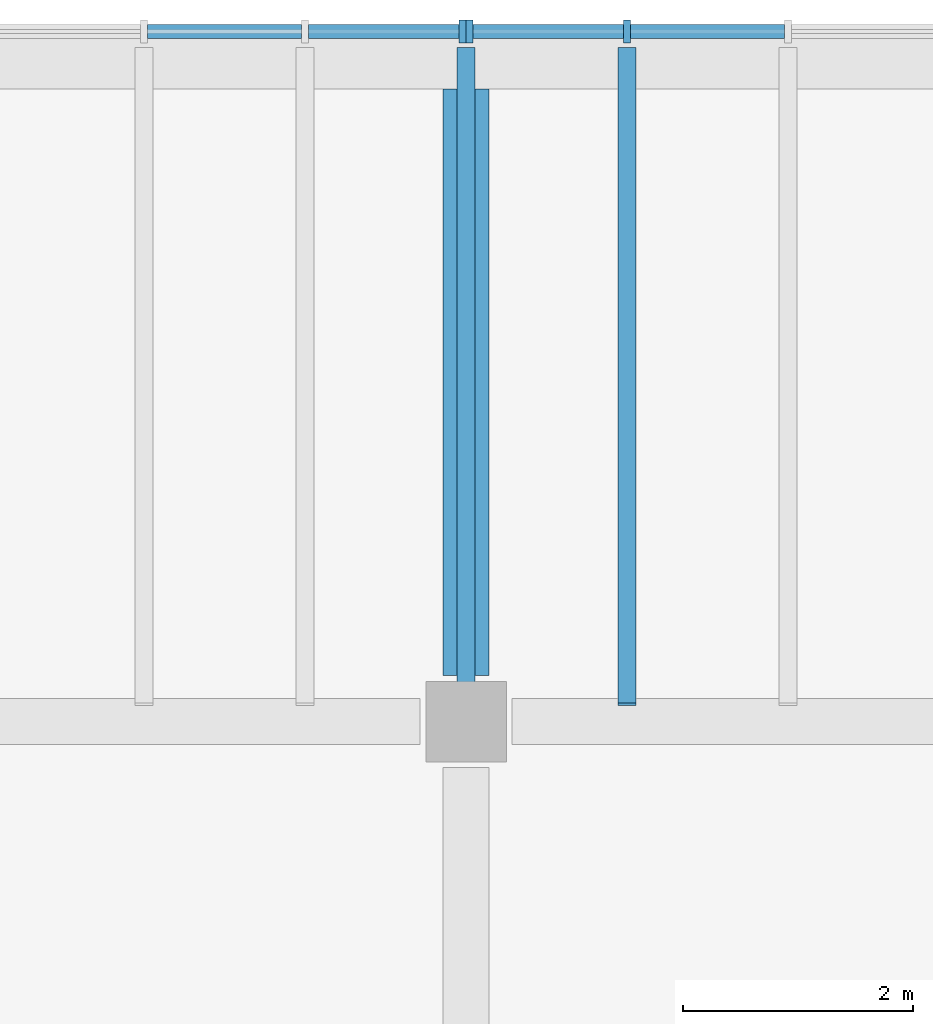
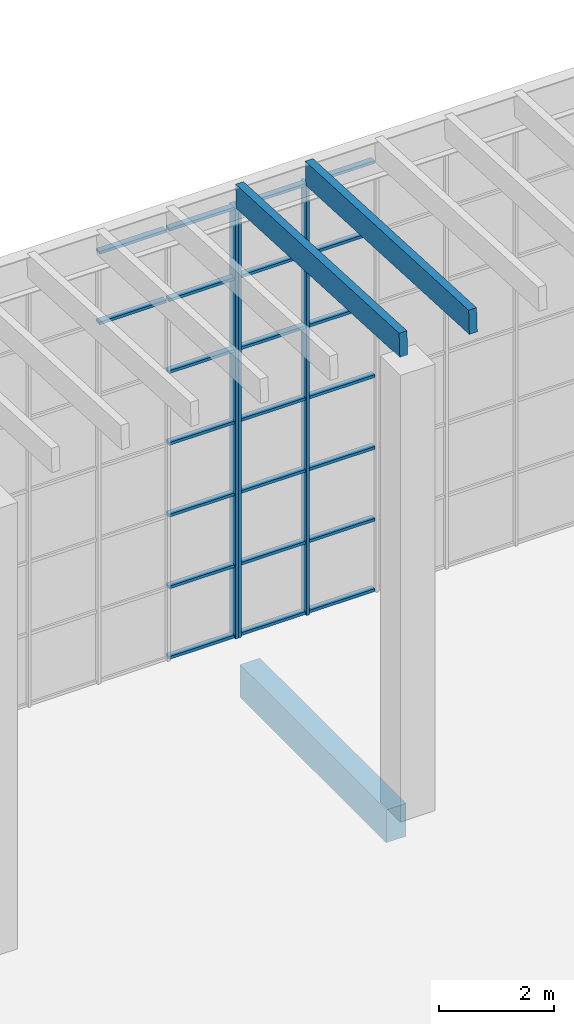
# One storey, part 18 of 114: 28 members, 1 beam, 2 elements without a shape of their own.
"""IFC4 building model written with IfcOpenShell, lengths in metres."""

import ifcopenshell
import ifcopenshell.guid

model = None  # the IFC model being written
_history = None  # IfcOwnerHistory: only IFC2X3 demands one
_inside = {}  # id of a spatial element -> (the spatial element, [elements in it])
_under = {}  # id of a project, library or spatial element -> (it, [spatial elements below it])
_declared = {}  # id of a project -> (the project, [libraries it declares])
_typed = {}  # id of a type object -> (the type object, [elements of that type])
_made_of = {}  # id of a material, layer set ... -> (it, [elements and type objects made of it])


def new_model(schema):
    """Start an empty IFC model of exactly this schema.

    Asked for "IFC4X3", IfcOpenShell would pick the latest addendum, in which some entities
    have other attributes; the version numbers below select the first issue.
    IFC2X3 requires an IfcOwnerHistory on every rooted entity: one is made here for all.
    """
    global model, _history
    if schema == "IFC4X3":
        model = ifcopenshell.file(schema_version=(4, 3, 0, 0))
    else:
        model = ifcopenshell.file(schema=schema)
    _inside.clear()
    _under.clear()
    _declared.clear()
    _typed.clear()
    _made_of.clear()
    _history = None
    if model.schema == "IFC2X3":
        org = make("IfcOrganization", Name="unknown")
        user = make(
            "IfcPersonAndOrganization",
            ThePerson=make("IfcPerson", FamilyName="unknown"),
            TheOrganization=org,
        )
        app = make(
            "IfcApplication",
            ApplicationDeveloper=org,
            Version="unknown",
            ApplicationFullName="unknown",
            ApplicationIdentifier="unknown",
        )
        _history = make(
            "IfcOwnerHistory",
            OwningUser=user,
            OwningApplication=app,
            ChangeAction="ADDED",
            CreationDate=0,
        )
    return model


def make(cls, **values):
    """One entity of the class cls with the attributes given. An attribute that is None is left unset."""
    return model.create_entity(
        cls, **{name: value for name, value in values.items() if value is not None}
    )


def rooted(cls, **values):
    """An entity with a GlobalId (a new one), such as an element, a storey or a relation."""
    return make(cls, GlobalId=ifcopenshell.guid.new(), OwnerHistory=_history, **values)


def si_unit(unit_type, name, prefix=None):
    """IfcSIUnit, for example si_unit("LENGTHUNIT", "METRE", prefix="MILLI")."""
    return make("IfcSIUnit", UnitType=unit_type, Prefix=prefix, Name=name)


def assignment(units):
    """IfcUnitAssignment: the units of a project."""
    return None if units is None else make("IfcUnitAssignment", Units=units)


def point(xyz):
    """IfcCartesianPoint."""
    return None if xyz is None else make("IfcCartesianPoint", Coordinates=xyz)


def direction(xyz):
    """IfcDirection."""
    return None if xyz is None else make("IfcDirection", DirectionRatios=xyz)


def frame(location, z_axis=None, x_axis=None):
    """IfcAxis2Placement3D, a coordinate frame: its origin and axes. An axis left out is left unset."""
    return make(
        "IfcAxis2Placement3D",
        Location=point(location),
        Axis=direction(z_axis),
        RefDirection=direction(x_axis),
    )


def frame_2d(location, x_axis=None):
    """IfcAxis2Placement2D, a coordinate frame in the plane: its origin and x axis."""
    return make(
        "IfcAxis2Placement2D", Location=point(location), RefDirection=direction(x_axis)
    )


def origin():
    """The frame at (0, 0, 0) with its axes left unset."""
    return frame((0.0, 0.0, 0.0))


def origin_2d():
    """The frame at (0, 0) in the plane with its x axis left unset."""
    return frame_2d((0.0, 0.0))


def place(relative_to, where):
    """IfcLocalPlacement: puts the frame where relative to a parent placement (None: the world)."""
    return make(
        "IfcLocalPlacement", PlacementRelTo=relative_to, RelativePlacement=where
    )


def context(
    kind, dimensions, precision=None, world=None, true_north=None, identifier=None
):
    """IfcGeometricRepresentationContext, for example the 3D "Model" context."""
    return make(
        "IfcGeometricRepresentationContext",
        ContextIdentifier=identifier,
        ContextType=kind,
        CoordinateSpaceDimension=dimensions,
        Precision=precision,
        WorldCoordinateSystem=world,
        TrueNorth=true_north,
    )


def subcontext(parent, identifier, kind, view, scale=None):
    """IfcGeometricRepresentationSubContext, for example "Body" below "Model"."""
    return make(
        "IfcGeometricRepresentationSubContext",
        ContextIdentifier=identifier,
        ContextType=kind,
        ParentContext=parent,
        TargetScale=scale,
        TargetView=view,
    )


def project(units=None, contexts=None):
    """IfcProject with its units and contexts."""
    return rooted(
        "IfcProject",
        Name="project",
        RepresentationContexts=contexts,
        UnitsInContext=assignment(units),
    )


def spatial(cls, under=None, at=None, **own):
    """A site, building, storey or space (cls), placed at a placement, below another one or the project."""
    s = rooted(cls, ObjectPlacement=at, **own)
    if under is not None:
        _under.setdefault(under.id(), (under, []))[1].append(s)
    return s


def profile(cls, at=None, kind="AREA", **sizes):
    """A parametric profile (cls). Its sizes go by their IFC names, for example OverallWidth=200.0."""
    return make(cls, ProfileType=kind, Position=at, **sizes)


def rectangle(**sizes):
    """IfcRectangleProfileDef."""
    return profile("IfcRectangleProfileDef", **sizes)


def extrude(swept, where, along, depth):
    """IfcExtrudedAreaSolid: the profile swept, set in the frame where, extruded along a direction by depth."""
    return make(
        "IfcExtrudedAreaSolid",
        SweptArea=swept,
        Position=where,
        ExtrudedDirection=direction(along),
        Depth=depth,
    )


def shape(context_of_items, identifier, shape_type, items):
    """IfcShapeRepresentation: the items that make up one representation, for example the "Body"."""
    return make(
        "IfcShapeRepresentation",
        ContextOfItems=context_of_items,
        RepresentationIdentifier=identifier,
        RepresentationType=shape_type,
        Items=items,
    )


def material(Name=None, Category=None):
    """IfcMaterial."""
    return make("IfcMaterial", Name=Name, Category=Category)


def material_profile(
    of_material, cross_section, Name=None, Category=None, Priority=None
):
    """IfcMaterialProfile: a cross section and its material."""
    return make(
        "IfcMaterialProfile",
        Name=Name,
        Material=of_material,
        Profile=cross_section,
        Priority=Priority,
        Category=Category,
    )


def profile_set(profiles, Name=None, composite=None):
    """IfcMaterialProfileSet."""
    return make(
        "IfcMaterialProfileSet",
        Name=Name,
        MaterialProfiles=profiles,
        CompositeProfile=composite,
    )


def made_of(thing, what):
    """Note that an element or type object is made of a material, layer set ...; save() writes the relation."""
    if what is not None:
        _made_of.setdefault(what.id(), (what, []))[1].append(thing)
    return thing


def type_object(cls, material=None, **own):
    """A type object (cls), such as IfcWallType, which elements share."""
    return made_of(rooted(cls, **own), material)


def element(
    cls,
    number,
    at=None,
    inside=None,
    cuts=None,
    type_object=None,
    material=None,
    context=None,
    identifier="Body",
    shape_type=None,
    held_by="IfcProductDefinitionShape",
    body=None,
    shapes=None,
    **own,
):
    """One element of the class cls, such as IfcWall. Its Tag is "e" and its number.

    at: its placement. inside: the storey or other place that contains it. cuts: it is an
    opening in that element (IfcRelVoidsElement). A single representation is given by context,
    identifier, shape_type and body (its items); several are given by shapes. held_by: the class
    of the entity that holds the representations. save() writes the other relations.
    """
    e = rooted(cls, Tag="e%d" % number, ObjectPlacement=at, **own)
    if body is not None:
        shapes = [shape(context, identifier, shape_type, body)]
    if shapes is not None:
        e.Representation = make(held_by, Representations=shapes)
    if inside is not None:
        _inside.setdefault(inside.id(), (inside, []))[1].append(e)
    if cuts is not None:
        rooted(
            "IfcRelVoidsElement", RelatingBuildingElement=cuts, RelatedOpeningElement=e
        )
    if type_object is not None:
        _typed.setdefault(type_object.id(), (type_object, []))[1].append(e)
    return made_of(e, material)


def aggregate(whole, parts):
    """IfcRelAggregates: a whole, such as a stair, and the parts it consists of."""
    return rooted("IfcRelAggregates", RelatingObject=whole, RelatedObjects=parts)


def save(model, path):
    """Write the relations noted so far, then the file.

    IfcRelAggregates (storeys below a building ...), IfcRelContainedInSpatialStructure (elements
    in a storey), IfcRelDefinesByType, IfcRelAssociatesMaterial and IfcRelDeclares: one each for
    every whole, place, type object, material and project.
    """
    for whole, parts in _under.values():
        aggregate(whole, parts)
    for where, things in _inside.values():
        rooted(
            "IfcRelContainedInSpatialStructure",
            RelatedElements=things,
            RelatingStructure=where,
        )
    for kind, things in _typed.values():
        rooted("IfcRelDefinesByType", RelatedObjects=things, RelatingType=kind)
    for what, things in _made_of.values():
        rooted("IfcRelAssociatesMaterial", RelatedObjects=things, RelatingMaterial=what)
    for by, libraries in _declared.values():
        rooted("IfcRelDeclares", RelatingContext=by, RelatedDefinitions=libraries)
    model.write(path)


model = new_model("IFC4")

# Units and contexts
model_context = context("Model", 3, precision=1e-05, world=origin(), true_north=direction((0.0, 1.0)))
body_context = subcontext(model_context, "Body", "Model", "MODEL_VIEW")
ifc_project = project(units=[si_unit("LENGTHUNIT", "METRE"), si_unit("AREAUNIT", "SQUARE_METRE"), si_unit("VOLUMEUNIT", "CUBIC_METRE"), si_unit("PLANEANGLEUNIT", "RADIAN"), si_unit("MASSUNIT", "GRAM", prefix="KILO")], contexts=[model_context])

# Site, building, storey
site_placement = place(None, origin())
site = spatial("IfcSite", under=ifc_project, at=site_placement, CompositionType="ELEMENT")
building_placement = place(site_placement, origin())
building = spatial("IfcBuilding", under=site, at=building_placement, Name="Almond Square Museum", CompositionType="ELEMENT")
storey_placement = place(building_placement, frame((0.0, 0.0, 10.5)))
storey = spatial("IfcBuildingStorey", under=building, at=storey_placement, Name="L02", CompositionType="ELEMENT", Elevation=10.5)

# Curtain wall, members
ifc_material_1 = material(Name="Aluminium and laminated glass", Category="aluminium")
curtain_wall_type = type_object("IfcCurtainWallType", Name="Unitised curtain wall 1500 module", PredefinedType="NOTDEFINED", material=ifc_material_1)
curtain_wall_1_placement = place(storey_placement, origin())
curtain_wall_1 = element("IfcCurtainWall", 1, at=curtain_wall_1_placement, inside=storey, type_object=curtain_wall_type, Name="Curtain wall CW-21", PredefinedType="NOTDEFINED")
ifc_material_2 = material(Name="Anodised aluminium", Category="aluminium")
ifc_material_profile_1 = material_profile(ifc_material_2, rectangle(XDim=0.199951171875, YDim=0.06005859375, at=origin_2d()))
ifc_profile_set_1 = profile_set([ifc_material_profile_1], Name="Anodised aluminium")
member_type_1 = type_object("IfcMemberType", Name="Aluminium mullion 60 x 200", PredefinedType="MULLION", material=ifc_profile_set_1)
member_1_placement = place(storey_placement, frame((64.830078125, 115.199951171875, 0.0), z_axis=(0.0, 0.0, 1.0), x_axis=(0.0, 1.0, 0.0)))
member_1 = element("IfcMember", 2, at=member_1_placement, type_object=member_type_1, Name="CW-21 mullion 1", PredefinedType="MULLION", context=body_context, shape_type="SweptSolid", body=[
    extrude(rectangle(XDim=0.199951171875, YDim=0.06005859375, at=origin_2d()), origin(), (0.0, 0.0, 1.0), 9.166259765625),
])
member_2_placement = place(storey_placement, frame((66.199951171875, 115.199951171875, 0.0), z_axis=(0.0, 0.0, 1.0), x_axis=(0.0, 1.0, 0.0)))
member_2 = element("IfcMember", 3, at=member_2_placement, type_object=member_type_1, Name="CW-21 mullion 2", PredefinedType="MULLION", context=body_context, shape_type="SweptSolid", body=[
    extrude(rectangle(XDim=0.199951171875, YDim=0.06005859375, at=origin_2d()), origin(), (0.0, 0.0, 1.0), 9.166259765625),
])

# Curtain wall, member
curtain_wall_2_placement = place(storey_placement, origin())
curtain_wall_2 = element("IfcCurtainWall", 4, at=curtain_wall_2_placement, inside=storey, type_object=curtain_wall_type, Name="Curtain wall CW-22", PredefinedType="NOTDEFINED")
member_3_placement = place(storey_placement, frame((64.77001953125, 115.199951171875, 0.0), z_axis=(0.0, 0.0, 1.0), x_axis=(0.0, 1.0, 0.0)))
member_3 = element("IfcMember", 5, at=member_3_placement, type_object=member_type_1, Name="CW-22 mullion 7", PredefinedType="MULLION", context=body_context, shape_type="SweptSolid", body=[
    extrude(rectangle(XDim=0.199951171875, YDim=0.06005859375, at=origin_2d()), origin(), (0.0, 0.0, 1.0), 9.166259765625),
])

# Member
ifc_material_3 = material(Name="Anodised aluminium", Category="aluminium")
ifc_material_profile_2 = material_profile(ifc_material_3, rectangle(XDim=0.1201171875, YDim=0.06005859375, at=origin_2d()))
ifc_profile_set_2 = profile_set([ifc_material_profile_2], Name="Anodised aluminium")
member_type_2 = type_object("IfcMemberType", Name="Aluminium transom 60 x 120", PredefinedType="USERDEFINED", material=ifc_profile_set_2)
member_4_placement = place(storey_placement, frame((64.860107421875, 115.199951171875, 0.030029296875), z_axis=(1.0, 0.0, 0.0), x_axis=(0.0, 1.0, 0.0)))
member_4 = element("IfcMember", 6, at=member_4_placement, type_object=member_type_2, Name="CW-21 transom 1.1", ObjectType="TRANSOM", PredefinedType="USERDEFINED", context=body_context, shape_type="SweptSolid", body=[
    extrude(rectangle(XDim=0.1201171875, YDim=0.06005859375, at=origin_2d()), origin(), (0.0, 0.0, 1.0), 1.309814453125),
])

member_5_placement = place(storey_placement, frame((64.860107421875, 115.199951171875, 1.527587890625), z_axis=(1.0, 0.0, 0.0), x_axis=(0.0, 1.0, 0.0)))
member_5 = element("IfcMember", 7, at=member_5_placement, type_object=member_type_2, Name="CW-21 transom 1.2", ObjectType="TRANSOM", PredefinedType="USERDEFINED", context=body_context, shape_type="SweptSolid", body=[
    extrude(rectangle(XDim=0.1201171875, YDim=0.06005859375, at=origin_2d()), origin(), (0.0, 0.0, 1.0), 1.309814453125),
])

member_6_placement = place(storey_placement, frame((64.860107421875, 115.199951171875, 3.055419921875), z_axis=(1.0, 0.0, 0.0), x_axis=(0.0, 1.0, 0.0)))
member_6 = element("IfcMember", 8, at=member_6_placement, type_object=member_type_2, Name="CW-21 transom 1.3", ObjectType="TRANSOM", PredefinedType="USERDEFINED", context=body_context, shape_type="SweptSolid", body=[
    extrude(rectangle(XDim=0.1201171875, YDim=0.06005859375, at=origin_2d()), origin(), (0.0, 0.0, 1.0), 1.309814453125),
])

member_7_placement = place(storey_placement, frame((64.860107421875, 115.199951171875, 4.5830078125), z_axis=(1.0, 0.0, 0.0), x_axis=(0.0, 1.0, 0.0)))
member_7 = element("IfcMember", 9, at=member_7_placement, type_object=member_type_2, Name="CW-21 transom 1.4", ObjectType="TRANSOM", PredefinedType="USERDEFINED", context=body_context, shape_type="SweptSolid", body=[
    extrude(rectangle(XDim=0.1201171875, YDim=0.06005859375, at=origin_2d()), origin(), (0.0, 0.0, 1.0), 1.309814453125),
])

member_8_placement = place(storey_placement, frame((64.860107421875, 115.199951171875, 6.11083984375), z_axis=(1.0, 0.0, 0.0), x_axis=(0.0, 1.0, 0.0)))
member_8 = element("IfcMember", 10, at=member_8_placement, type_object=member_type_2, Name="CW-21 transom 1.5", ObjectType="TRANSOM", PredefinedType="USERDEFINED", context=body_context, shape_type="SweptSolid", body=[
    extrude(rectangle(XDim=0.1201171875, YDim=0.06005859375, at=origin_2d()), origin(), (0.0, 0.0, 1.0), 1.309814453125),
])

member_9_placement = place(storey_placement, frame((64.860107421875, 115.199951171875, 7.638427734375), z_axis=(1.0, 0.0, 0.0), x_axis=(0.0, 1.0, 0.0)))
member_9 = element("IfcMember", 11, at=member_9_placement, type_object=member_type_2, Name="CW-21 transom 1.6", ObjectType="TRANSOM", PredefinedType="USERDEFINED", context=body_context, shape_type="SweptSolid", body=[
    extrude(rectangle(XDim=0.1201171875, YDim=0.06005859375, at=origin_2d()), origin(), (0.0, 0.0, 1.0), 1.309814453125),
])

member_10_placement = place(storey_placement, frame((64.860107421875, 115.199951171875, 9.13623046875), z_axis=(1.0, 0.0, 0.0), x_axis=(0.0, 1.0, 0.0)))
member_10 = element("IfcMember", 12, at=member_10_placement, type_object=member_type_2, Name="CW-21 transom 1.7", ObjectType="TRANSOM", PredefinedType="USERDEFINED", context=body_context, shape_type="SweptSolid", body=[
    extrude(rectangle(XDim=0.1201171875, YDim=0.06005859375, at=origin_2d()), origin(), (0.0, 0.0, 1.0), 1.309814453125),
])

member_11_placement = place(storey_placement, frame((66.22998046875, 115.199951171875, 0.030029296875), z_axis=(1.0, 0.0, 0.0), x_axis=(0.0, 1.0, 0.0)))
member_11 = element("IfcMember", 13, at=member_11_placement, type_object=member_type_2, Name="CW-21 transom 2.1", ObjectType="TRANSOM", PredefinedType="USERDEFINED", context=body_context, shape_type="SweptSolid", body=[
    extrude(rectangle(XDim=0.1201171875, YDim=0.06005859375, at=origin_2d()), origin(), (0.0, 0.0, 1.0), 1.340087890625),
])

member_12_placement = place(storey_placement, frame((66.22998046875, 115.199951171875, 1.527587890625), z_axis=(1.0, 0.0, 0.0), x_axis=(0.0, 1.0, 0.0)))
member_12 = element("IfcMember", 14, at=member_12_placement, type_object=member_type_2, Name="CW-21 transom 2.2", ObjectType="TRANSOM", PredefinedType="USERDEFINED", context=body_context, shape_type="SweptSolid", body=[
    extrude(rectangle(XDim=0.1201171875, YDim=0.06005859375, at=origin_2d()), origin(), (0.0, 0.0, 1.0), 1.340087890625),
])

member_13_placement = place(storey_placement, frame((66.22998046875, 115.199951171875, 3.055419921875), z_axis=(1.0, 0.0, 0.0), x_axis=(0.0, 1.0, 0.0)))
member_13 = element("IfcMember", 15, at=member_13_placement, type_object=member_type_2, Name="CW-21 transom 2.3", ObjectType="TRANSOM", PredefinedType="USERDEFINED", context=body_context, shape_type="SweptSolid", body=[
    extrude(rectangle(XDim=0.1201171875, YDim=0.06005859375, at=origin_2d()), origin(), (0.0, 0.0, 1.0), 1.340087890625),
])

member_14_placement = place(storey_placement, frame((66.22998046875, 115.199951171875, 4.5830078125), z_axis=(1.0, 0.0, 0.0), x_axis=(0.0, 1.0, 0.0)))
member_14 = element("IfcMember", 16, at=member_14_placement, type_object=member_type_2, Name="CW-21 transom 2.4", ObjectType="TRANSOM", PredefinedType="USERDEFINED", context=body_context, shape_type="SweptSolid", body=[
    extrude(rectangle(XDim=0.1201171875, YDim=0.06005859375, at=origin_2d()), origin(), (0.0, 0.0, 1.0), 1.340087890625),
])

member_15_placement = place(storey_placement, frame((66.22998046875, 115.199951171875, 6.11083984375), z_axis=(1.0, 0.0, 0.0), x_axis=(0.0, 1.0, 0.0)))
member_15 = element("IfcMember", 17, at=member_15_placement, type_object=member_type_2, Name="CW-21 transom 2.5", ObjectType="TRANSOM", PredefinedType="USERDEFINED", context=body_context, shape_type="SweptSolid", body=[
    extrude(rectangle(XDim=0.1201171875, YDim=0.06005859375, at=origin_2d()), origin(), (0.0, 0.0, 1.0), 1.340087890625),
])

member_16_placement = place(storey_placement, frame((66.22998046875, 115.199951171875, 7.638427734375), z_axis=(1.0, 0.0, 0.0), x_axis=(0.0, 1.0, 0.0)))
member_16 = element("IfcMember", 18, at=member_16_placement, type_object=member_type_2, Name="CW-21 transom 2.6", ObjectType="TRANSOM", PredefinedType="USERDEFINED", context=body_context, shape_type="SweptSolid", body=[
    extrude(rectangle(XDim=0.1201171875, YDim=0.06005859375, at=origin_2d()), origin(), (0.0, 0.0, 1.0), 1.340087890625),
])

member_17_placement = place(storey_placement, frame((66.22998046875, 115.199951171875, 9.13623046875), z_axis=(1.0, 0.0, 0.0), x_axis=(0.0, 1.0, 0.0)))
member_17 = element("IfcMember", 19, at=member_17_placement, type_object=member_type_2, Name="CW-21 transom 2.7", ObjectType="TRANSOM", PredefinedType="USERDEFINED", context=body_context, shape_type="SweptSolid", body=[
    extrude(rectangle(XDim=0.1201171875, YDim=0.06005859375, at=origin_2d()), origin(), (0.0, 0.0, 1.0), 1.340087890625),
])

aggregate(curtain_wall_1, [member_1, member_2, member_4, member_5, member_6, member_7, member_8, member_9, member_10, member_11, member_12, member_13, member_14, member_15, member_16, member_17])

member_18_placement = place(storey_placement, frame((62.030029296875, 115.199951171875, 7.638427734375), z_axis=(1.0, 0.0, 0.0), x_axis=(0.0, 1.0, 0.0)))
member_18 = element("IfcMember", 20, at=member_18_placement, type_object=member_type_2, Name="CW-22 transom 5.6", ObjectType="TRANSOM", PredefinedType="USERDEFINED", context=body_context, shape_type="SweptSolid", body=[
    extrude(rectangle(XDim=0.1201171875, YDim=0.06005859375, at=origin_2d()), origin(), (0.0, 0.0, 1.0), 1.340087890625),
])

member_19_placement = place(storey_placement, frame((62.030029296875, 115.199951171875, 9.13623046875), z_axis=(1.0, 0.0, 0.0), x_axis=(0.0, 1.0, 0.0)))
member_19 = element("IfcMember", 21, at=member_19_placement, type_object=member_type_2, Name="CW-22 transom 5.7", ObjectType="TRANSOM", PredefinedType="USERDEFINED", context=body_context, shape_type="SweptSolid", body=[
    extrude(rectangle(XDim=0.1201171875, YDim=0.06005859375, at=origin_2d()), origin(), (0.0, 0.0, 1.0), 1.340087890625),
])

member_20_placement = place(storey_placement, frame((63.429931640625, 115.199951171875, 0.030029296875), z_axis=(1.0, 0.0, 0.0), x_axis=(0.0, 1.0, 0.0)))
member_20 = element("IfcMember", 22, at=member_20_placement, type_object=member_type_2, Name="CW-22 transom 6.1", ObjectType="TRANSOM", PredefinedType="USERDEFINED", context=body_context, shape_type="SweptSolid", body=[
    extrude(rectangle(XDim=0.1201171875, YDim=0.06005859375, at=origin_2d()), origin(), (0.0, 0.0, 1.0), 1.31005859375),
])

member_21_placement = place(storey_placement, frame((63.429931640625, 115.199951171875, 1.527587890625), z_axis=(1.0, 0.0, 0.0), x_axis=(0.0, 1.0, 0.0)))
member_21 = element("IfcMember", 23, at=member_21_placement, type_object=member_type_2, Name="CW-22 transom 6.2", ObjectType="TRANSOM", PredefinedType="USERDEFINED", context=body_context, shape_type="SweptSolid", body=[
    extrude(rectangle(XDim=0.1201171875, YDim=0.06005859375, at=origin_2d()), origin(), (0.0, 0.0, 1.0), 1.31005859375),
])

member_22_placement = place(storey_placement, frame((63.429931640625, 115.199951171875, 3.055419921875), z_axis=(1.0, 0.0, 0.0), x_axis=(0.0, 1.0, 0.0)))
member_22 = element("IfcMember", 24, at=member_22_placement, type_object=member_type_2, Name="CW-22 transom 6.3", ObjectType="TRANSOM", PredefinedType="USERDEFINED", context=body_context, shape_type="SweptSolid", body=[
    extrude(rectangle(XDim=0.1201171875, YDim=0.06005859375, at=origin_2d()), origin(), (0.0, 0.0, 1.0), 1.31005859375),
])

member_23_placement = place(storey_placement, frame((63.429931640625, 115.199951171875, 4.5830078125), z_axis=(1.0, 0.0, 0.0), x_axis=(0.0, 1.0, 0.0)))
member_23 = element("IfcMember", 25, at=member_23_placement, type_object=member_type_2, Name="CW-22 transom 6.4", ObjectType="TRANSOM", PredefinedType="USERDEFINED", context=body_context, shape_type="SweptSolid", body=[
    extrude(rectangle(XDim=0.1201171875, YDim=0.06005859375, at=origin_2d()), origin(), (0.0, 0.0, 1.0), 1.31005859375),
])

member_24_placement = place(storey_placement, frame((63.429931640625, 115.199951171875, 6.11083984375), z_axis=(1.0, 0.0, 0.0), x_axis=(0.0, 1.0, 0.0)))
member_24 = element("IfcMember", 26, at=member_24_placement, type_object=member_type_2, Name="CW-22 transom 6.5", ObjectType="TRANSOM", PredefinedType="USERDEFINED", context=body_context, shape_type="SweptSolid", body=[
    extrude(rectangle(XDim=0.1201171875, YDim=0.06005859375, at=origin_2d()), origin(), (0.0, 0.0, 1.0), 1.31005859375),
])

member_25_placement = place(storey_placement, frame((63.429931640625, 115.199951171875, 7.638427734375), z_axis=(1.0, 0.0, 0.0), x_axis=(0.0, 1.0, 0.0)))
member_25 = element("IfcMember", 27, at=member_25_placement, type_object=member_type_2, Name="CW-22 transom 6.6", ObjectType="TRANSOM", PredefinedType="USERDEFINED", context=body_context, shape_type="SweptSolid", body=[
    extrude(rectangle(XDim=0.1201171875, YDim=0.06005859375, at=origin_2d()), origin(), (0.0, 0.0, 1.0), 1.31005859375),
])

member_26_placement = place(storey_placement, frame((63.429931640625, 115.199951171875, 9.13623046875), z_axis=(1.0, 0.0, 0.0), x_axis=(0.0, 1.0, 0.0)))
member_26 = element("IfcMember", 28, at=member_26_placement, type_object=member_type_2, Name="CW-22 transom 6.7", ObjectType="TRANSOM", PredefinedType="USERDEFINED", context=body_context, shape_type="SweptSolid", body=[
    extrude(rectangle(XDim=0.1201171875, YDim=0.06005859375, at=origin_2d()), origin(), (0.0, 0.0, 1.0), 1.31005859375),
])

aggregate(curtain_wall_2, [member_3, member_18, member_19, member_20, member_21, member_22, member_23, member_24, member_25, member_26])

# Members
ifc_material_4 = material(Name="Glulam GL28h", Category="wood")
ifc_material_profile_3 = material_profile(ifc_material_4, rectangle(XDim=0.159912109375, YDim=0.5, at=origin_2d()))
ifc_profile_set_3 = profile_set([ifc_material_profile_3], Name="Glulam GL28h")
member_type_3 = type_object("IfcMemberType", Name="Glulam rafter GL28h 160x500", PredefinedType="RAFTER", material=ifc_profile_set_3)
for number, where, z_axis, x_axis, name in (
    (29, (64.800048828125, 109.35009765625, 9.7421875), (0.0, 0.998750951657, -0.049965353644), (-1.0, 0.0, 0.0), "Box roof rafter 19"),
    (30, (66.199951171875, 109.35009765625, 9.7421875), (0.0, 0.998750951657, -0.049965353644), (-1.0, 0.0, 0.0), "Box roof rafter 20"),
):
    element("IfcMember", number, at=place(storey_placement, frame(where, z_axis=z_axis, x_axis=x_axis)), inside=storey, type_object=member_type_3, Name=name, PredefinedType="RAFTER", context=body_context, shape_type="SweptSolid", body=[
        extrude(rectangle(XDim=0.159912109375, YDim=0.5, at=origin_2d()), origin(), (0.0, 0.0, 1.0), 5.70703125),
    ])

# Beam
ifc_material_5 = material(Name="Concrete C40/50", Category="concrete")
ifc_material_profile_4 = material_profile(ifc_material_5, rectangle(XDim=0.39990234375, YDim=0.699951171875, at=origin_2d()))
ifc_profile_set_4 = profile_set([ifc_material_profile_4], Name="Concrete C40/50")
beam_type = type_object("IfcBeamType", Name="RC beam 400 x 700 C40/50", PredefinedType="BEAM", material=ifc_profile_set_4)
beam_placement = place(storey_placement, frame((64.800048828125, 109.60009765625, -0.60009765625), z_axis=(0.0, 1.0, 0.0), x_axis=(-1.0, 0.0, 0.0)))
element("IfcBeam", 31, at=beam_placement, inside=storey, type_object=beam_type, Name="Beam 9 N-O L02", PredefinedType="BEAM", context=body_context, shape_type="SweptSolid", body=[
    extrude(rectangle(XDim=0.39990234375, YDim=0.699951171875, at=origin_2d()), origin(), (0.0, 0.0, 1.0), 5.099853515625),
])

save(model, "model.ifc")
